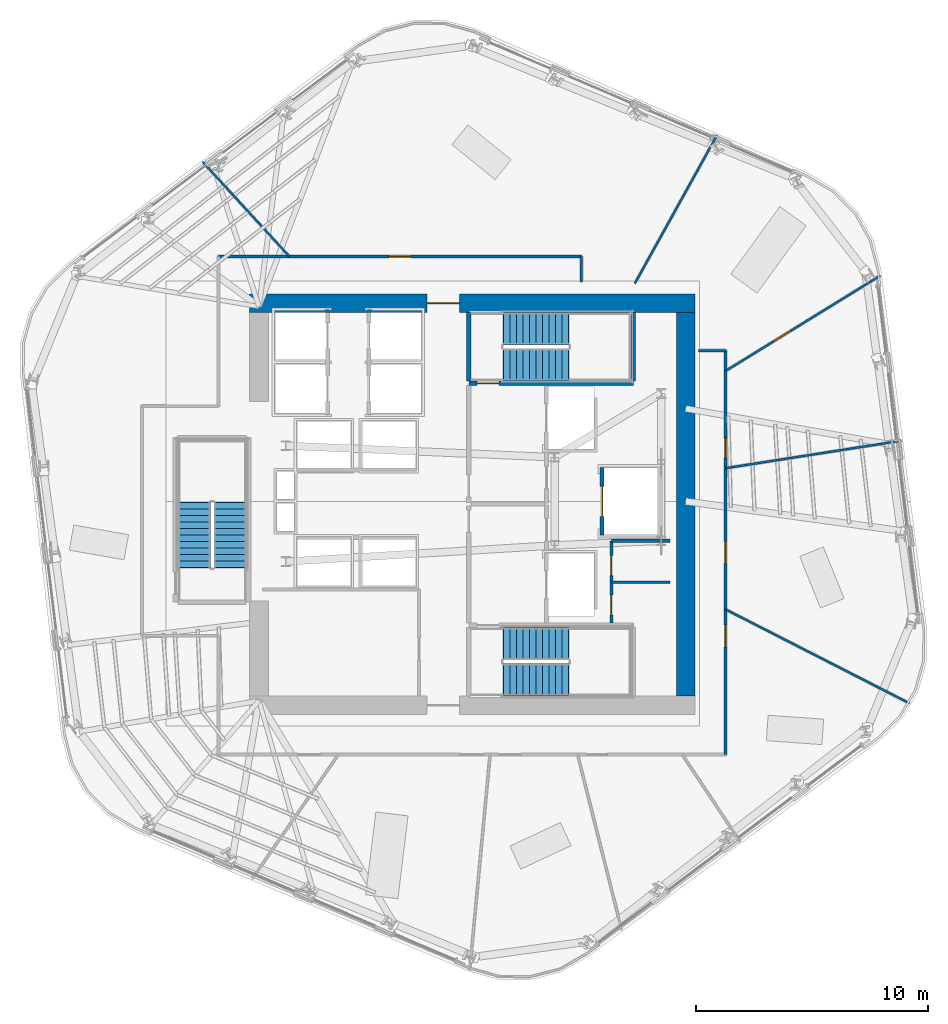
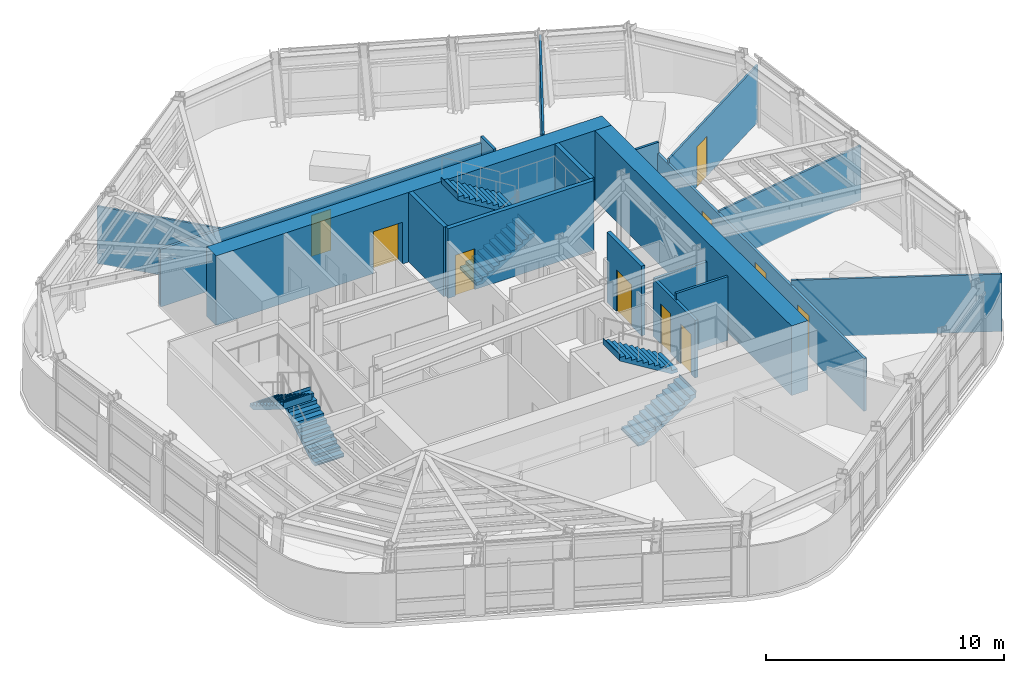
# One storey, part 9 of 14: 18 walls, 10 doors, 6 stair flights, 10 openings, 3 elements without a shape of their own.
"""IFC4 building model written with IfcOpenShell, lengths in metres."""

from ifc_helpers import new_model, si_unit, direction, frame, frame_2d, origin, place, context, subcontext, project, spatial, polyline, rectangle, outline, extrude, material, layer, layer_set, type_object, element, fill, aggregate, save


model = new_model("IFC4")

# Units and contexts
model_context = context("Model", 3, precision=1e-05, world=origin(), true_north=direction((0.0, 1.0)))
body_context = subcontext(model_context, "Body", "Model", "MODEL_VIEW")
ifc_project = project(units=[si_unit("LENGTHUNIT", "METRE"), si_unit("AREAUNIT", "SQUARE_METRE"), si_unit("VOLUMEUNIT", "CUBIC_METRE"), si_unit("PLANEANGLEUNIT", "RADIAN"), si_unit("MASSUNIT", "GRAM", prefix="KILO")], contexts=[model_context])

# Site, building, storey
site_placement = place(None, origin())
site = spatial("IfcSite", under=ifc_project, at=site_placement, CompositionType="ELEMENT")
building_placement = place(site_placement, origin())
building = spatial("IfcBuilding", under=site, at=building_placement, Name="Valkerne Bourse Tower", CompositionType="ELEMENT")
storey_placement = place(building_placement, frame((0.0, 0.0, 181.800048828125)))
storey = spatial("IfcBuildingStorey", under=building, at=storey_placement, Name="L46", CompositionType="ELEMENT", Elevation=181.800048828125)

# Wall, opening, door
ifc_material_1 = material(Name="Concrete C55/67", Category="concrete")
ifc_layer_1 = layer(ifc_material_1, 0.800048828125)
ifc_layer_set_1 = layer_set([ifc_layer_1], Name="Concrete C55/67")
wall_type_1 = type_object("IfcWallType", Name="W-CORE-800", PredefinedType="SHEAR", material=ifc_layer_set_1)
wall_1_placement = place(storey_placement, frame((37.199951171875, 35.550048828125, 0.0), z_axis=(0.0, 0.0, 1.0), x_axis=(1.0, 0.0, 0.0)))
wall_1 = element("IfcWall", 1, at=wall_1_placement, inside=storey, type_object=wall_type_1, Name="L46 Core Shear Wall NORTH", PredefinedType="SHEAR", context=body_context, shape_type="SweptSolid", body=[
    extrude(rectangle(XDim=19.199951171875, YDim=0.800048828125, at=frame_2d((9.60009765625, 0.0))), origin(), (0.0, 0.0, 1.0), 3.579833984375),
])
opening_1_placement = place(wall_1_placement, frame((7.64990234375, 0.0, 0.0)))
opening_1 = element("IfcOpeningElement", 2, at=opening_1_placement, cuts=wall_1, Name="Opening D-PL-1400", PredefinedType="OPENING", context=body_context, shape_type="SweptSolid", body=[
    extrude(rectangle(XDim=1.39990234375, YDim=2.14990234375, at=frame_2d((0.699951171875, 1.074951171875))), frame((0.0, 0.409912109375, 0.0), z_axis=(0.0, -1.0, 0.0), x_axis=(1.0, 0.0, 0.0)), (0.0, 0.0, 1.0), 0.820068359375),
])
ifc_material_2 = material(Name="Galvanised Painted Steel", Category="steel")
door_type_1 = type_object("IfcDoorType", Name="DR-PLT-1400", OperationType="DOUBLE_DOOR_SINGLE_SWING", PredefinedType="DOOR", material=ifc_material_2)
door_1_placement = place(opening_1_placement, origin())
door_1 = element("IfcDoor", 3, at=door_1_placement, inside=storey, type_object=door_type_1, Name="L46 North Passenger Lift Hall Fire Door", OperationType="DOUBLE_DOOR_SINGLE_SWING", OverallHeight=2.14990234375, OverallWidth=1.39990234375, PredefinedType="DOOR", context=body_context, shape_type="SweptSolid", body=[
    extrude(rectangle(XDim=1.39990234375, YDim=2.14990234375, at=frame_2d((0.699951171875, 1.074951171875))), frame((0.0, 0.02490234375, 0.0), z_axis=(0.0, -1.0, 0.0), x_axis=(1.0, 0.0, 0.0)), (0.0, 0.0, 1.0), 0.050048828125),
])
fill(opening_1, door_1)

# Walls
wall_2_placement = place(storey_placement, frame((56.0, 18.60009765625, 0.0), z_axis=(0.0, 0.0, 1.0), x_axis=(0.0, 1.0, 0.0)))
element("IfcWall", 4, at=wall_2_placement, inside=storey, type_object=wall_type_1, Name="L46 Core Shear Wall EAST", PredefinedType="SHEAR", context=body_context, shape_type="SweptSolid", body=[
    extrude(rectangle(XDim=16.5498046875, YDim=0.800048828125, at=frame_2d((8.27490234375, 0.0))), origin(), (0.0, 0.0, 1.0), 3.579833984375),
])
ifc_material_3 = material(Name="Gypsum Board Steel-Stud Partition", Category="steel")
ifc_layer_2 = layer(ifc_material_3, 0.117919921875)
ifc_layer_set_2 = layer_set([ifc_layer_2], Name="Gypsum Board Steel-Stud Partition")
wall_type_2 = type_object("IfcWallType", Name="W-CORR-140", PredefinedType="PARTITIONING", material=ifc_layer_set_2)
wall_3_placement = place(storey_placement, frame((52.800048828125, 23.510009765625, 0.0), z_axis=(0.0, 0.0, 1.0), x_axis=(1.0, 0.0, 0.0)))
element("IfcWall", 5, at=wall_3_placement, inside=storey, type_object=wall_type_2, Name="L46 Core SE Dual Divider", PredefinedType="PARTITIONING", context=body_context, shape_type="SweptSolid", body=[
    extrude(rectangle(XDim=2.52001953125, YDim=0.117919921875, at=frame_2d((1.260009765625, 0.0))), origin(), (0.0, 0.0, 1.0), 3.280029296875),
])

# Wall, opening, door
wall_4_placement = place(storey_placement, frame((35.85009765625, 37.56005859375, 0.0), z_axis=(0.0, 0.0, 1.0), x_axis=(1.0, 0.0, 0.0)))
wall_4 = element("IfcWall", 6, at=wall_4_placement, inside=storey, type_object=wall_type_2, Name="L46 Corridor Enclosure Wall", PredefinedType="PARTITIONING", context=body_context, shape_type="SweptSolid", body=[
    extrude(rectangle(XDim=15.64990234375, YDim=0.117919921875, at=frame_2d((7.824951171875, 0.0))), origin(), (0.0, 0.0, 1.0), 2.962890625),
])
opening_2_placement = place(wall_4_placement, frame((7.35009765625, 0.0, 0.0)))
opening_2 = element("IfcOpeningElement", 7, at=opening_2_placement, cuts=wall_4, Name="Opening D-OF-950", PredefinedType="OPENING", context=body_context, shape_type="SweptSolid", body=[
    extrude(rectangle(XDim=0.949951171875, YDim=2.10009765625, at=frame_2d((0.47509765625, 1.050048828125))), frame((0.0, 0.06884765625, 0.0), z_axis=(0.0, -1.0, 0.0), x_axis=(1.0, 0.0, 0.0)), (0.0, 0.0, 1.0), 0.137939453125),
])
ifc_material_4 = material(Name="Architectural White Oak Timber", Category="wood")
door_type_2 = type_object("IfcDoorType", Name="DR-OFF-950", OperationType="NOTDEFINED", PredefinedType="DOOR", material=ifc_material_4)
door_2_placement = place(opening_2_placement, origin())
door_2 = element("IfcDoor", 8, at=door_2_placement, inside=storey, type_object=door_type_2, Name="L46 L46 Commodities Market Showroom 8 Door", OperationType="SINGLE_SWING_LEFT", OverallHeight=2.10009765625, OverallWidth=0.949951171875, PredefinedType="DOOR", context=body_context, shape_type="SweptSolid", body=[
    extrude(rectangle(XDim=0.949951171875, YDim=2.10009765625, at=frame_2d((0.47509765625, 1.050048828125))), frame((0.0, 0.02490234375, 0.0), z_axis=(0.0, -1.0, 0.0), x_axis=(1.0, 0.0, 0.0)), (0.0, 0.0, 1.0), 0.050048828125),
])
fill(opening_2, door_2)

# Walls
wall_5_placement = place(storey_placement, frame((51.5, 37.56005859375, 0.0), z_axis=(0.0, 0.0, 1.0), x_axis=(0.0, -1.0, 0.0)))
element("IfcWall", 9, at=wall_5_placement, inside=storey, type_object=wall_type_2, Name="L46 Corridor Enclosure Wall", PredefinedType="PARTITIONING", context=body_context, shape_type="SweptSolid", body=[
    extrude(rectangle(XDim=1.10009765625, YDim=0.117919921875, at=frame_2d((0.550048828125, 0.0))), origin(), (0.0, 0.0, 1.0), 3.280029296875),
])
wall_6_placement = place(storey_placement, frame((56.56005859375, 33.5, 0.0), z_axis=(0.0, 0.0, 1.0), x_axis=(1.0, 0.0, 0.0)))
element("IfcWall", 10, at=wall_6_placement, inside=storey, type_object=wall_type_2, Name="L46 Corridor Enclosure Wall", PredefinedType="PARTITIONING", context=body_context, shape_type="SweptSolid", body=[
    extrude(rectangle(XDim=1.159912109375, YDim=0.117919921875, at=frame_2d((0.580078125, 0.0))), origin(), (0.0, 0.0, 1.0), 3.280029296875),
])

# Wall, openings, doors
wall_7_placement = place(storey_placement, frame((57.719970703125, 33.5, 0.0), z_axis=(0.0, 0.0, 1.0), x_axis=(0.0, -1.0, 0.0)))
wall_7 = element("IfcWall", 11, at=wall_7_placement, inside=storey, type_object=wall_type_2, Name="L46 Corridor Enclosure Wall", PredefinedType="PARTITIONING", context=body_context, shape_type="SweptSolid", body=[
    extrude(rectangle(XDim=17.419921875, YDim=0.117919921875, at=frame_2d((8.7099609375, 0.0))), origin(), (0.0, 0.0, 1.0), 2.71142578125),
])
opening_3_placement = place(wall_7_placement, frame((3.780029296875, 0.0, 0.0)))
opening_3 = element("IfcOpeningElement", 12, at=opening_3_placement, cuts=wall_7, Name="Opening D-WC-900", PredefinedType="OPENING", context=body_context, shape_type="SweptSolid", body=[
    extrude(rectangle(XDim=0.860107421875, YDim=2.050048828125, at=frame_2d((0.43017578125, 1.02490234375))), frame((0.0, 0.06884765625, 0.0), z_axis=(0.0, -1.0, 0.0), x_axis=(1.0, 0.0, 0.0)), (0.0, 0.0, 1.0), 0.137939453125),
])
opening_4_placement = place(wall_7_placement, frame((11.8349609375, 0.0, 0.0)))
opening_4 = element("IfcOpeningElement", 13, at=opening_4_placement, cuts=wall_7, Name="Opening D-OF-950", PredefinedType="OPENING", context=body_context, shape_type="SweptSolid", body=[
    extrude(rectangle(XDim=0.949951171875, YDim=2.10009765625, at=frame_2d((0.47509765625, 1.050048828125))), frame((0.0, 0.06884765625, 0.0), z_axis=(0.0, -1.0, 0.0), x_axis=(1.0, 0.0, 0.0)), (0.0, 0.0, 1.0), 0.137939453125),
])
opening_5_placement = place(wall_7_placement, frame((8.235107421875, 0.0, 0.0)))
opening_5 = element("IfcOpeningElement", 14, at=opening_5_placement, cuts=wall_7, Name="Opening D-OF-950", PredefinedType="OPENING", context=body_context, shape_type="SweptSolid", body=[
    extrude(rectangle(XDim=0.949951171875, YDim=2.10009765625, at=frame_2d((0.47509765625, 1.050048828125))), frame((0.0, 0.06884765625, 0.0), z_axis=(0.0, -1.0, 0.0), x_axis=(1.0, 0.0, 0.0)), (0.0, 0.0, 1.0), 0.137939453125),
])
door_3_placement = place(opening_4_placement, origin())
door_3 = element("IfcDoor", 15, at=door_3_placement, inside=storey, type_object=door_type_2, Name="L46 L46 Executive Advisory Suite Office 3 Door", OperationType="SINGLE_SWING_RIGHT", OverallHeight=2.10009765625, OverallWidth=0.949951171875, PredefinedType="DOOR", context=body_context, shape_type="SweptSolid", body=[
    extrude(rectangle(XDim=0.949951171875, YDim=2.10009765625, at=frame_2d((0.47509765625, 1.050048828125))), frame((0.0, 0.02490234375, 0.0), z_axis=(0.0, -1.0, 0.0), x_axis=(1.0, 0.0, 0.0)), (0.0, 0.0, 1.0), 0.050048828125),
])
fill(opening_4, door_3)
door_4_placement = place(opening_5_placement, origin())
door_4 = element("IfcDoor", 16, at=door_4_placement, inside=storey, type_object=door_type_2, Name="L46 L46 Commodities Market Showroom 7 Door", OperationType="SINGLE_SWING_LEFT", OverallHeight=2.10009765625, OverallWidth=0.949951171875, PredefinedType="DOOR", context=body_context, shape_type="SweptSolid", body=[
    extrude(rectangle(XDim=0.949951171875, YDim=2.10009765625, at=frame_2d((0.47509765625, 1.050048828125))), frame((0.0, 0.02490234375, 0.0), z_axis=(0.0, -1.0, 0.0), x_axis=(1.0, 0.0, 0.0)), (0.0, 0.0, 1.0), 0.050048828125),
])
fill(opening_5, door_4)
door_type_3 = type_object("IfcDoorType", Name="DR-WC-900", OperationType="NOTDEFINED", PredefinedType="DOOR", material=ifc_material_4)
door_5_placement = place(opening_3_placement, origin())
door_5 = element("IfcDoor", 17, at=door_5_placement, inside=storey, type_object=door_type_3, Name="L46 L46 Women Restroom & Shower WC 2 Door", OperationType="SINGLE_SWING_RIGHT", OverallHeight=2.050048828125, OverallWidth=0.860107421875, PredefinedType="DOOR", context=body_context, shape_type="SweptSolid", body=[
    extrude(rectangle(XDim=0.860107421875, YDim=2.050048828125, at=frame_2d((0.43017578125, 1.02490234375))), frame((0.0, 0.02490234375, 0.0), z_axis=(0.0, -1.0, 0.0), x_axis=(1.0, 0.0, 0.0)), (0.0, 0.0, 1.0), 0.050048828125),
])
fill(opening_3, door_5)

# Wall, opening, door
ifc_material_5 = material(Name="CMU Blockwork Masonry 200mm", Category="masonry")
ifc_layer_3 = layer(ifc_material_5, 0.179931640625)
ifc_layer_set_3 = layer_set([ifc_layer_3], Name="CMU Blockwork Masonry 200mm")
wall_type_3 = type_object("IfcWallType", Name="W-LFT-180", PredefinedType="SOLIDWALL", material=ifc_layer_set_3)
wall_8_placement = place(storey_placement, frame((52.39990234375, 25.550048828125, 0.0), z_axis=(0.0, 0.0, 1.0), x_axis=(0.0, 1.0, 0.0)))
wall_8 = element("IfcWall", 18, at=wall_8_placement, inside=storey, type_object=wall_type_3, Name="L46 Service Lift SV-1 Front Wall", PredefinedType="SOLIDWALL", context=body_context, shape_type="SweptSolid", body=[
    extrude(rectangle(XDim=2.89990234375, YDim=0.179931640625, at=frame_2d((1.449951171875, 0.0))), origin(), (0.0, 0.0, 1.0), 3.579833984375),
])
opening_6_placement = place(wall_8_placement, frame((0.800048828125, 0.0, 0.0)))
opening_6 = element("IfcOpeningElement", 19, at=opening_6_placement, cuts=wall_8, Name="Opening LD-1300", PredefinedType="OPENING", context=body_context, shape_type="SweptSolid", body=[
    extrude(rectangle(XDim=1.300048828125, YDim=2.14990234375, at=frame_2d((0.64990234375, 1.074951171875))), frame((0.0, 0.099853515625, 0.0), z_axis=(0.0, -1.0, 0.0), x_axis=(1.0, 0.0, 0.0)), (0.0, 0.0, 1.0), 0.199951171875),
])
ifc_material_6 = material(Name="Stainless Steel AISI 316", Category="steel")
door_type_4 = type_object("IfcDoorType", Name="DR-LIFT-1300", OperationType="DOUBLE_DOOR_SLIDING", PredefinedType="DOOR", material=ifc_material_6)
door_6_placement = place(opening_6_placement, origin())
door_6 = element("IfcDoor", 20, at=door_6_placement, inside=storey, type_object=door_type_4, Name="L46 Service Lift SV-1 Landing Door", OperationType="DOUBLE_DOOR_SLIDING", OverallHeight=2.14990234375, OverallWidth=1.300048828125, PredefinedType="DOOR", context=body_context, shape_type="SweptSolid", body=[
    extrude(rectangle(XDim=1.300048828125, YDim=2.14990234375, at=frame_2d((0.64990234375, 1.074951171875))), frame((0.0, 0.02490234375, 0.0), z_axis=(0.0, -1.0, 0.0), x_axis=(1.0, 0.0, 0.0)), (0.0, 0.0, 1.0), 0.050048828125),
])
fill(opening_6, door_6)

# Walls
ifc_layer_4 = layer(ifc_material_3, 0.092041015625)
ifc_layer_set_4 = layer_set([ifc_layer_4], Name="Gypsum Board Steel-Stud Partition")
wall_type_4 = type_object("IfcWallType", Name="W-PART-115", PredefinedType="PARTITIONING", material=ifc_layer_set_4)
wall_9_placement = place(storey_placement, frame((57.72509765625, 22.34033203125, 0.0), z_axis=(0.0, 0.0, 1.0), x_axis=(0.890583763535, -0.454819260945, 0.0)))
element("IfcWall", 21, at=wall_9_placement, inside=storey, type_object=wall_type_4, Name="L46 Suite Partition P04", PredefinedType="PARTITIONING", context=body_context, shape_type="SweptSolid", body=[
    extrude(rectangle(XDim=8.90478515625, YDim=0.092041015625, at=frame_2d((4.452392578125, 0.0))), origin(), (0.0, 0.0, 1.0), 2.942626953125),
])
wall_10_placement = place(storey_placement, frame((57.72509765625, 28.428955078125, 0.0), z_axis=(0.0, 0.0, 1.0), x_axis=(0.987955231685, 0.154739976047, 0.0)))
element("IfcWall", 22, at=wall_10_placement, inside=storey, type_object=wall_type_4, Name="L46 Suite Partition P05", PredefinedType="PARTITIONING", context=body_context, shape_type="SweptSolid", body=[
    extrude(rectangle(XDim=7.6708984375, YDim=0.092041015625, at=frame_2d((3.83544921875, 0.0))), origin(), (0.0, 0.0, 1.0), 2.80029296875),
])

# Wall, opening, door
wall_11_placement = place(storey_placement, frame((57.72509765625, 32.623779296875, 0.0), z_axis=(0.0, 0.0, 1.0), x_axis=(0.851298675987, 0.524681393098, 0.0)))
wall_11 = element("IfcWall", 23, at=wall_11_placement, inside=storey, type_object=wall_type_4, Name="L46 Suite Partition P06", PredefinedType="PARTITIONING", context=body_context, shape_type="SweptSolid", body=[
    extrude(rectangle(XDim=7.8359375, YDim=0.092041015625, at=frame_2d((3.91796875, 0.0))), origin(), (0.0, 0.0, 1.0), 2.942626953125),
])
opening_7_placement = place(wall_11_placement, frame((2.44140625, 0.0, 0.0)))
opening_7 = element("IfcOpeningElement", 24, at=opening_7_placement, cuts=wall_11, Name="Opening D-WC-900", PredefinedType="OPENING", context=body_context, shape_type="SweptSolid", body=[
    extrude(rectangle(XDim=0.860107421875, YDim=2.050048828125, at=frame_2d((0.43017578125, 1.02490234375))), frame((0.0, 0.055908203125, 0.0), z_axis=(0.0, -1.0, 0.0), x_axis=(1.0, 0.0, 0.0)), (0.0, 0.0, 1.0), 0.112060546875),
])
door_7_placement = place(opening_7_placement, origin())
door_7 = element("IfcDoor", 25, at=door_7_placement, inside=storey, type_object=door_type_3, Name="L46 L46 Client Strategy Conference Room 5 Suite Door", OperationType="SINGLE_SWING_RIGHT", OverallHeight=2.050048828125, OverallWidth=0.860107421875, PredefinedType="DOOR", context=body_context, shape_type="SweptSolid", body=[
    extrude(rectangle(XDim=0.860107421875, YDim=2.050048828125, at=frame_2d((0.43017578125, 1.02490234375))), frame((0.0, 0.02490234375, 0.0), z_axis=(0.0, -1.0, 0.0), x_axis=(1.0, 0.0, 0.0)), (0.0, 0.0, 1.0), 0.050048828125),
])
fill(opening_7, door_7)

# Walls
wall_12_placement = place(storey_placement, frame((53.811767578125, 36.39990234375, 0.0), z_axis=(0.0, 0.0, 1.0), x_axis=(0.484879463673, 0.87458098865, 0.0)))
element("IfcWall", 26, at=wall_12_placement, inside=storey, type_object=wall_type_4, Name="L46 Suite Partition P07", PredefinedType="PARTITIONING", context=body_context, shape_type="SweptSolid", body=[
    extrude(rectangle(XDim=7.305419921875, YDim=0.092041015625, at=frame_2d((3.65283203125, 0.0))), origin(), (0.0, 0.0, 1.0), 3.280029296875),
])
wall_13_placement = place(storey_placement, frame((38.908203125, 37.56494140625, 0.0), z_axis=(0.0, 0.0, 1.0), x_axis=(-0.675992820337, 0.736908207888, 0.0)))
element("IfcWall", 27, at=wall_13_placement, inside=storey, type_object=wall_type_4, Name="L46 Suite Partition P08", PredefinedType="PARTITIONING", context=body_context, shape_type="SweptSolid", body=[
    extrude(rectangle(XDim=5.52294921875, YDim=0.092041015625, at=frame_2d((2.761474609375, 0.0))), origin(), (0.0, 0.0, 1.0), 2.942626953125),
])

# Wall, opening, door
ifc_material_7 = material(Name="Concrete C40/50", Category="concrete")
ifc_layer_5 = layer(ifc_material_7, 0.199951171875)
ifc_layer_set_5 = layer_set([ifc_layer_5], Name="Concrete C40/50")
wall_type_5 = type_object("IfcWallType", Name="W-SHF-200", PredefinedType="SHEAR", material=ifc_layer_set_5)
wall_14_placement = place(storey_placement, frame((46.64990234375, 32.10009765625, 0.0), z_axis=(0.0, 0.0, 1.0), x_axis=(1.0, 0.0, 0.0)))
wall_14 = element("IfcWall", 28, at=wall_14_placement, inside=storey, type_object=wall_type_5, Name="L46 Exit Stair ST-2 Structural Shaft Wall South", PredefinedType="SHEAR", context=body_context, shape_type="SweptSolid", body=[
    extrude(rectangle(XDim=7.10009765625, YDim=0.199951171875, at=frame_2d((3.550048828125, 0.0))), origin(), (0.0, 0.0, 1.0), 3.579833984375),
])
opening_8_placement = place(wall_14_placement, frame((0.35009765625, 0.0, 0.0)))
opening_8 = element("IfcOpeningElement", 29, at=opening_8_placement, cuts=wall_14, Name="Opening D-ST-950", PredefinedType="OPENING", context=body_context, shape_type="SweptSolid", body=[
    extrude(rectangle(XDim=0.949951171875, YDim=2.10009765625, at=frame_2d((0.47509765625, 1.050048828125))), frame((0.0, 0.10986328125, 0.0), z_axis=(0.0, -1.0, 0.0), x_axis=(1.0, 0.0, 0.0)), (0.0, 0.0, 1.0), 0.219970703125),
])
door_type_5 = type_object("IfcDoorType", Name="DR-STAIR-950", OperationType="NOTDEFINED", PredefinedType="DOOR", material=ifc_material_2)
door_8_placement = place(opening_8_placement, origin())
door_8 = element("IfcDoor", 30, at=door_8_placement, inside=storey, type_object=door_type_5, Name="L46 Exit Stair ST-2 Door", OperationType="SINGLE_SWING_LEFT", OverallHeight=2.10009765625, OverallWidth=0.949951171875, PredefinedType="DOOR", context=body_context, shape_type="SweptSolid", body=[
    extrude(rectangle(XDim=0.949951171875, YDim=2.10009765625, at=frame_2d((0.47509765625, 1.050048828125))), frame((0.0, 0.02490234375, 0.0), z_axis=(0.0, -1.0, 0.0), x_axis=(1.0, 0.0, 0.0)), (0.0, 0.0, 1.0), 0.050048828125),
])
fill(opening_8, door_8)

# Walls
for number, where, z_axis, x_axis, name in (
    (31, (46.64990234375, 32.199951171875, 0.0), (0.0, 0.0, 1.0), (0.0, 1.0, 0.0), "L46 Exit Stair ST-2 Structural Shaft Wall West"),
    (32, (53.75, 32.199951171875, 0.0), (0.0, 0.0, 1.0), (0.0, 1.0, 0.0), "L46 Exit Stair ST-2 Structural Shaft Wall East"),
):
    element("IfcWall", number, at=place(storey_placement, frame(where, z_axis=z_axis, x_axis=x_axis)), inside=storey, type_object=wall_type_5, Name=name, PredefinedType="SHEAR", context=body_context, shape_type="SweptSolid", body=[
        extrude(rectangle(XDim=2.949951171875, YDim=0.199951171875, at=frame_2d((1.47509765625, 0.0))), origin(), (0.0, 0.0, 1.0), 3.579833984375),
    ])

# Wall, openings, doors
ifc_material_8 = material(Name="Moisture-Resistant Gypsum Partition", Category="gypsum")
ifc_layer_6 = layer(ifc_material_8, 0.139892578125)
ifc_layer_set_6 = layer_set([ifc_layer_6], Name="Moisture-Resistant Gypsum Partition")
wall_type_6 = type_object("IfcWallType", Name="W-WET-140", PredefinedType="PARTITIONING", material=ifc_layer_set_6)
wall_15_placement = place(storey_placement, frame((52.800048828125, 21.75, 0.0), z_axis=(0.0, 0.0, 1.0), x_axis=(0.0, 1.0, 0.0)))
wall_15 = element("IfcWall", 33, at=wall_15_placement, inside=storey, type_object=wall_type_6, Name="L46 Core SE Dual West Wall", PredefinedType="PARTITIONING", context=body_context, shape_type="SweptSolid", body=[
    extrude(rectangle(XDim=3.550048828125, YDim=0.139892578125, at=frame_2d((1.77490234375, 0.0))), origin(), (0.0, 0.0, 1.0), 2.957763671875),
])
opening_9_placement = place(wall_15_placement, frame((0.35009765625, 0.0, 0.0)))
opening_9 = element("IfcOpeningElement", 34, at=opening_9_placement, cuts=wall_15, Name="Opening D-WC-900", PredefinedType="OPENING", context=body_context, shape_type="SweptSolid", body=[
    extrude(rectangle(XDim=0.860107421875, YDim=2.050048828125, at=frame_2d((0.43017578125, 1.02490234375))), frame((0.0, 0.079833984375, 0.0), z_axis=(0.0, -1.0, 0.0), x_axis=(1.0, 0.0, 0.0)), (0.0, 0.0, 1.0), 0.159912109375),
])
opening_10_placement = place(wall_15_placement, frame((2.050048828125, 0.0, 0.0)))
opening_10 = element("IfcOpeningElement", 35, at=opening_10_placement, cuts=wall_15, Name="Opening D-WC-900", PredefinedType="OPENING", context=body_context, shape_type="SweptSolid", body=[
    extrude(rectangle(XDim=0.860107421875, YDim=2.050048828125, at=frame_2d((0.43017578125, 1.02490234375))), frame((0.0, 0.079833984375, 0.0), z_axis=(0.0, -1.0, 0.0), x_axis=(1.0, 0.0, 0.0)), (0.0, 0.0, 1.0), 0.159912109375),
])
door_9_placement = place(opening_9_placement, origin())
door_9 = element("IfcDoor", 36, at=door_9_placement, inside=storey, type_object=door_type_3, Name="L46 Linen Store Door", OperationType="SINGLE_SWING_RIGHT", OverallHeight=2.050048828125, OverallWidth=0.860107421875, PredefinedType="DOOR", context=body_context, shape_type="SweptSolid", body=[
    extrude(rectangle(XDim=0.860107421875, YDim=2.050048828125, at=frame_2d((0.43017578125, 1.02490234375))), frame((0.0, 0.02490234375, 0.0), z_axis=(0.0, -1.0, 0.0), x_axis=(1.0, 0.0, 0.0)), (0.0, 0.0, 1.0), 0.050048828125),
])
fill(opening_9, door_9)
door_10_placement = place(opening_10_placement, origin())
door_10 = element("IfcDoor", 37, at=door_10_placement, inside=storey, type_object=door_type_3, Name="L46 Espresso Kitchen Door", OperationType="SINGLE_SWING_RIGHT", OverallHeight=2.050048828125, OverallWidth=0.860107421875, PredefinedType="DOOR", context=body_context, shape_type="SweptSolid", body=[
    extrude(rectangle(XDim=0.860107421875, YDim=2.050048828125, at=frame_2d((0.43017578125, 1.02490234375))), frame((0.0, 0.02490234375, 0.0), z_axis=(0.0, -1.0, 0.0), x_axis=(1.0, 0.0, 0.0)), (0.0, 0.0, 1.0), 0.050048828125),
])
fill(opening_10, door_10)

# Wall
wall_16_placement = place(storey_placement, frame((52.800048828125, 25.300048828125, 0.0), z_axis=(0.0, 0.0, 1.0), x_axis=(1.0, 0.0, 0.0)))
element("IfcWall", 38, at=wall_16_placement, inside=storey, type_object=wall_type_6, Name="L46 Core SE Dual North Wall", PredefinedType="PARTITIONING", context=body_context, shape_type="SweptSolid", body=[
    extrude(rectangle(XDim=2.52001953125, YDim=0.139892578125, at=frame_2d((1.260009765625, 0.0))), origin(), (0.0, 0.0, 1.0), 2.957763671875),
])

# Stair, stair flights
stair_type = type_object("IfcStairType", Name="ST-CORE-1400", PredefinedType="HALF_TURN_STAIR", material=ifc_material_7)
stair_1_placement = place(storey_placement, origin())
stair_1 = element("IfcStair", 39, at=stair_1_placement, inside=storey, type_object=stair_type, Name="L46 ST-1", PredefinedType="HALF_TURN_STAIR")
stair_flight_type = type_object("IfcStairFlightType", Name="STF-CORE-1400", PredefinedType="STRAIGHT", material=ifc_material_7)
stair_flight_1_placement = place(storey_placement, frame((48.14990234375, 19.300048828125, 0.0), z_axis=(0.0, 0.0, 1.0), x_axis=(1.0, 0.0, 0.0)))
stair_flight_1 = element("IfcStairFlight", 40, at=stair_flight_1_placement, type_object=stair_flight_type, Name="ST-1 flight 1", NumberOfRisers=11, NumberOfTreads=10, PredefinedType="STRAIGHT", RiserHeight=0.172727273, TreadLength=0.28, context=body_context, shape_type="SweptSolid", body=[
    extrude(outline(polyline([(-0.02001953125, 0.0), (-0.02001953125, 0.044921875), (0.0, 0.044921875), (0.0, 0.172607421875), (0.280029296875, 0.172607421875), (0.280029296875, 0.345458984375), (0.56005859375, 0.345458984375), (0.56005859375, 0.51806640625), (0.840087890625, 0.51806640625), (0.840087890625, 0.69091796875), (1.1201171875, 0.69091796875), (1.1201171875, 0.863525390625), (1.39990234375, 0.863525390625), (1.39990234375, 1.036376953125), (1.679931640625, 1.036376953125), (1.679931640625, 1.208984375), (1.9599609375, 1.208984375), (1.9599609375, 1.3818359375), (2.239990234375, 1.3818359375), (2.239990234375, 1.554443359375), (2.52001953125, 1.554443359375), (2.52001953125, 1.727294921875), (2.800048828125, 1.727294921875), (2.800048828125, 1.89990234375), (2.820068359375, 1.89990234375), (2.820068359375, 1.780029296875), (2.800048828125, 1.551025390625), (0.285400390625, 0.0), (-0.02001953125, 0.0)])), frame((0.0, 0.699951171875, 0.0), z_axis=(0.0, -1.0, 0.0), x_axis=(1.0, 0.0, 0.0)), (0.0, 0.0, 1.0), 1.39990234375),
])
stair_flight_2_placement = place(storey_placement, frame((50.949951171875, 20.85009765625, 1.89990234375), z_axis=(0.0, 0.0, 1.0), x_axis=(-1.0, 0.0, 0.0)))
stair_flight_2 = element("IfcStairFlight", 41, at=stair_flight_2_placement, type_object=stair_flight_type, Name="ST-1 flight 2", NumberOfRisers=11, NumberOfTreads=10, PredefinedType="STRAIGHT", RiserHeight=0.172727273, TreadLength=0.28, context=body_context, shape_type="SweptSolid", body=[
    extrude(outline(polyline([(-0.02001953125, 0.0), (-0.02001953125, 0.044921875), (0.0, 0.044921875), (0.0, 0.172607421875), (0.280029296875, 0.172607421875), (0.280029296875, 0.345458984375), (0.56005859375, 0.345458984375), (0.56005859375, 0.51806640625), (0.840087890625, 0.51806640625), (0.840087890625, 0.69091796875), (1.1201171875, 0.69091796875), (1.1201171875, 0.863525390625), (1.39990234375, 0.863525390625), (1.39990234375, 1.036376953125), (1.679931640625, 1.036376953125), (1.679931640625, 1.208984375), (1.9599609375, 1.208984375), (1.9599609375, 1.3818359375), (2.239990234375, 1.3818359375), (2.239990234375, 1.554443359375), (2.52001953125, 1.554443359375), (2.52001953125, 1.727294921875), (2.800048828125, 1.727294921875), (2.800048828125, 1.89990234375), (2.820068359375, 1.89990234375), (2.820068359375, 1.780029296875), (2.800048828125, 1.551025390625), (0.285400390625, 0.0), (-0.02001953125, 0.0)])), frame((0.0, 0.699951171875, 0.0), z_axis=(0.0, -1.0, 0.0), x_axis=(1.0, 0.0, 0.0)), (0.0, 0.0, 1.0), 1.39990234375),
])
aggregate(stair_1, [stair_flight_1, stair_flight_2])

stair_2_placement = place(storey_placement, origin())
stair_2 = element("IfcStair", 42, at=stair_2_placement, inside=storey, type_object=stair_type, Name="L46 ST-2", PredefinedType="HALF_TURN_STAIR")
stair_flight_3_placement = place(storey_placement, frame((48.14990234375, 32.89990234375, 0.0), z_axis=(0.0, 0.0, 1.0), x_axis=(1.0, 0.0, 0.0)))
stair_flight_3 = element("IfcStairFlight", 43, at=stair_flight_3_placement, type_object=stair_flight_type, Name="ST-2 flight 1", NumberOfRisers=11, NumberOfTreads=10, PredefinedType="STRAIGHT", RiserHeight=0.172727273, TreadLength=0.28, context=body_context, shape_type="SweptSolid", body=[
    extrude(outline(polyline([(-0.02001953125, 0.0), (-0.02001953125, 0.044921875), (0.0, 0.044921875), (0.0, 0.172607421875), (0.280029296875, 0.172607421875), (0.280029296875, 0.345458984375), (0.56005859375, 0.345458984375), (0.56005859375, 0.51806640625), (0.840087890625, 0.51806640625), (0.840087890625, 0.69091796875), (1.1201171875, 0.69091796875), (1.1201171875, 0.863525390625), (1.39990234375, 0.863525390625), (1.39990234375, 1.036376953125), (1.679931640625, 1.036376953125), (1.679931640625, 1.208984375), (1.9599609375, 1.208984375), (1.9599609375, 1.3818359375), (2.239990234375, 1.3818359375), (2.239990234375, 1.554443359375), (2.52001953125, 1.554443359375), (2.52001953125, 1.727294921875), (2.800048828125, 1.727294921875), (2.800048828125, 1.89990234375), (2.820068359375, 1.89990234375), (2.820068359375, 1.780029296875), (2.800048828125, 1.551025390625), (0.285400390625, 0.0), (-0.02001953125, 0.0)])), frame((0.0, 0.699951171875, 0.0), z_axis=(0.0, -1.0, 0.0), x_axis=(1.0, 0.0, 0.0)), (0.0, 0.0, 1.0), 1.39990234375),
])
stair_flight_4_placement = place(storey_placement, frame((50.949951171875, 34.449951171875, 1.89990234375), z_axis=(0.0, 0.0, 1.0), x_axis=(-1.0, 0.0, 0.0)))
stair_flight_4 = element("IfcStairFlight", 44, at=stair_flight_4_placement, type_object=stair_flight_type, Name="ST-2 flight 2", NumberOfRisers=11, NumberOfTreads=10, PredefinedType="STRAIGHT", RiserHeight=0.172727273, TreadLength=0.28, context=body_context, shape_type="SweptSolid", body=[
    extrude(outline(polyline([(-0.02001953125, 0.0), (-0.02001953125, 0.044921875), (0.0, 0.044921875), (0.0, 0.172607421875), (0.280029296875, 0.172607421875), (0.280029296875, 0.345458984375), (0.56005859375, 0.345458984375), (0.56005859375, 0.51806640625), (0.840087890625, 0.51806640625), (0.840087890625, 0.69091796875), (1.1201171875, 0.69091796875), (1.1201171875, 0.863525390625), (1.39990234375, 0.863525390625), (1.39990234375, 1.036376953125), (1.679931640625, 1.036376953125), (1.679931640625, 1.208984375), (1.9599609375, 1.208984375), (1.9599609375, 1.3818359375), (2.239990234375, 1.3818359375), (2.239990234375, 1.554443359375), (2.52001953125, 1.554443359375), (2.52001953125, 1.727294921875), (2.800048828125, 1.727294921875), (2.800048828125, 1.89990234375), (2.820068359375, 1.89990234375), (2.820068359375, 1.780029296875), (2.800048828125, 1.551025390625), (0.285400390625, 0.0), (-0.02001953125, 0.0)])), frame((0.0, 0.699951171875, 0.0), z_axis=(0.0, -1.0, 0.0), x_axis=(1.0, 0.0, 0.0)), (0.0, 0.0, 1.0), 1.39990234375),
])
aggregate(stair_2, [stair_flight_3, stair_flight_4])

stair_3_placement = place(storey_placement, origin())
stair_3 = element("IfcStair", 45, at=stair_3_placement, inside=storey, type_object=stair_type, Name="L46 ST-3", PredefinedType="HALF_TURN_STAIR")
stair_flight_5_placement = place(storey_placement, frame((36.35009765625, 24.14990234375, 0.0), z_axis=(0.0, 0.0, 1.0), x_axis=(0.0, 1.0, 0.0)))
stair_flight_5 = element("IfcStairFlight", 46, at=stair_flight_5_placement, type_object=stair_flight_type, Name="ST-3 flight 1", NumberOfRisers=11, NumberOfTreads=10, PredefinedType="STRAIGHT", RiserHeight=0.172727273, TreadLength=0.28, context=body_context, shape_type="SweptSolid", body=[
    extrude(outline(polyline([(-0.02001953125, 0.0), (-0.02001953125, 0.044921875), (0.0, 0.044921875), (0.0, 0.172607421875), (0.280029296875, 0.172607421875), (0.280029296875, 0.345458984375), (0.56005859375, 0.345458984375), (0.56005859375, 0.51806640625), (0.840087890625, 0.51806640625), (0.840087890625, 0.69091796875), (1.1201171875, 0.69091796875), (1.1201171875, 0.863525390625), (1.39990234375, 0.863525390625), (1.39990234375, 1.036376953125), (1.679931640625, 1.036376953125), (1.679931640625, 1.208984375), (1.9599609375, 1.208984375), (1.9599609375, 1.3818359375), (2.239990234375, 1.3818359375), (2.239990234375, 1.554443359375), (2.52001953125, 1.554443359375), (2.52001953125, 1.727294921875), (2.800048828125, 1.727294921875), (2.800048828125, 1.89990234375), (2.820068359375, 1.89990234375), (2.820068359375, 1.780029296875), (2.800048828125, 1.551025390625), (0.285400390625, 0.0), (-0.02001953125, 0.0)])), frame((0.0, 0.699951171875, 0.0), z_axis=(0.0, -1.0, 0.0), x_axis=(1.0, 0.0, 0.0)), (0.0, 0.0, 1.0), 1.39990234375),
])
stair_flight_6_placement = place(storey_placement, frame((34.800048828125, 26.949951171875, 1.89990234375), z_axis=(0.0, 0.0, 1.0), x_axis=(0.0, -1.0, 0.0)))
stair_flight_6 = element("IfcStairFlight", 47, at=stair_flight_6_placement, type_object=stair_flight_type, Name="ST-3 flight 2", NumberOfRisers=11, NumberOfTreads=10, PredefinedType="STRAIGHT", RiserHeight=0.172727273, TreadLength=0.28, context=body_context, shape_type="SweptSolid", body=[
    extrude(outline(polyline([(-0.02001953125, 0.0), (-0.02001953125, 0.044921875), (0.0, 0.044921875), (0.0, 0.172607421875), (0.280029296875, 0.172607421875), (0.280029296875, 0.345458984375), (0.56005859375, 0.345458984375), (0.56005859375, 0.51806640625), (0.840087890625, 0.51806640625), (0.840087890625, 0.69091796875), (1.1201171875, 0.69091796875), (1.1201171875, 0.863525390625), (1.39990234375, 0.863525390625), (1.39990234375, 1.036376953125), (1.679931640625, 1.036376953125), (1.679931640625, 1.208984375), (1.9599609375, 1.208984375), (1.9599609375, 1.3818359375), (2.239990234375, 1.3818359375), (2.239990234375, 1.554443359375), (2.52001953125, 1.554443359375), (2.52001953125, 1.727294921875), (2.800048828125, 1.727294921875), (2.800048828125, 1.89990234375), (2.820068359375, 1.89990234375), (2.820068359375, 1.780029296875), (2.800048828125, 1.551025390625), (0.285400390625, 0.0), (-0.02001953125, 0.0)])), frame((0.0, 0.699951171875, 0.0), z_axis=(0.0, -1.0, 0.0), x_axis=(1.0, 0.0, 0.0)), (0.0, 0.0, 1.0), 1.39990234375),
])
aggregate(stair_3, [stair_flight_5, stair_flight_6])

save(model, "model.ifc")
